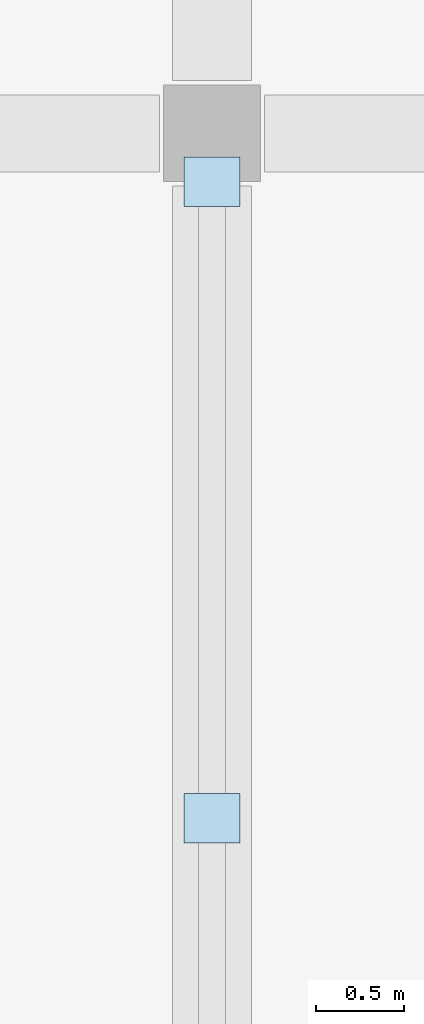
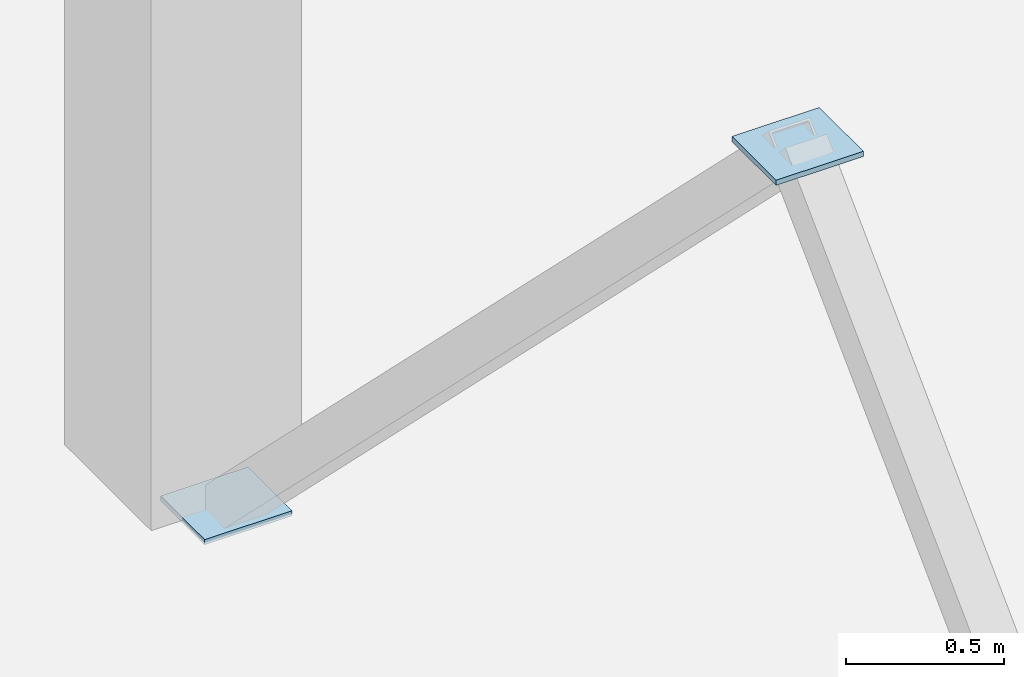
# One storey, part 52 of 67: 2 plates.
"""IFC4 building model written with IfcOpenShell, lengths in metres."""

from ifc_helpers import new_model, si_unit, direction, frame, origin, origin_2d, place, context, subcontext, project, spatial, rectangle, extrude, material, layer, layer_set, type_object, element, save


model = new_model("IFC4")

# Units and contexts
model_context = context("Model", 3, precision=1e-05, world=origin(), true_north=direction((0.0, 1.0)))
body_context = subcontext(model_context, "Body", "Model", "MODEL_VIEW")
ifc_project = project(units=[si_unit("LENGTHUNIT", "METRE"), si_unit("AREAUNIT", "SQUARE_METRE"), si_unit("VOLUMEUNIT", "CUBIC_METRE"), si_unit("PLANEANGLEUNIT", "RADIAN"), si_unit("MASSUNIT", "GRAM", prefix="KILO")], contexts=[model_context])

# Site, building, storey
site_placement = place(None, origin())
site = spatial("IfcSite", under=ifc_project, at=site_placement, CompositionType="ELEMENT")
building_placement = place(site_placement, origin())
building = spatial("IfcBuilding", under=site, at=building_placement, Name="Pellamere Symphony Hall", CompositionType="ELEMENT")
storey_placement = place(building_placement, frame((0.0, 0.0, 19.5)))
storey = spatial("IfcBuildingStorey", under=building, at=storey_placement, Name="L04", CompositionType="ELEMENT", Elevation=19.5)

# Plates
ifc_material = material(Name="Steel CSA G40.21 350W", Category="steel")
ifc_layer = layer(ifc_material, 0.02001953125, Name="Steel CSA G40.21 350W")
ifc_layer_set = layer_set([ifc_layer], Name="Steel CSA G40.21 350W")
plate_type = type_object("IfcPlateType", Name="Steel Connection Plate KP-06 320x280x20", PredefinedType="SHEET", material=ifc_layer_set)
for number, where, z_axis, x_axis, name in (
    (1, (164.39990234375, 61.52490234375, -0.010009765625), (0.0, 0.0, 1.0), (1.0, 0.0, 0.0), "Brace End Cap Plate 185"),
    (2, (164.39990234375, 57.89990234375, 3.580078125), (0.0, 0.0, 1.0), (1.0, 0.0, 0.0), "Brace End Cap Plate 186"),
):
    element("IfcPlate", number, at=place(storey_placement, frame(where, z_axis=z_axis, x_axis=x_axis)), inside=storey, type_object=plate_type, Name=name, PredefinedType="SHEET", context=body_context, shape_type="SweptSolid", body=[
        extrude(rectangle(XDim=0.320068359375, YDim=0.280029296875, at=origin_2d()), origin(), (0.0, 0.0, 1.0), 0.02001953125),
    ])

save(model, "model.ifc")
